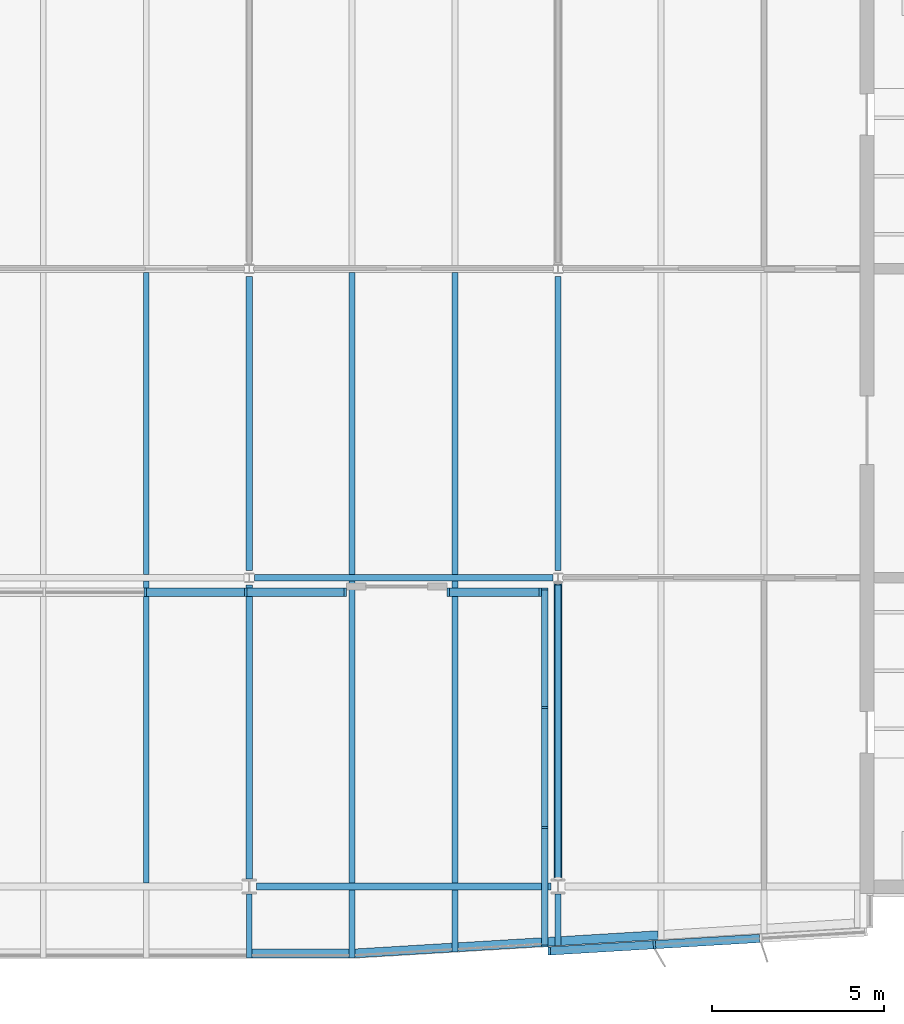
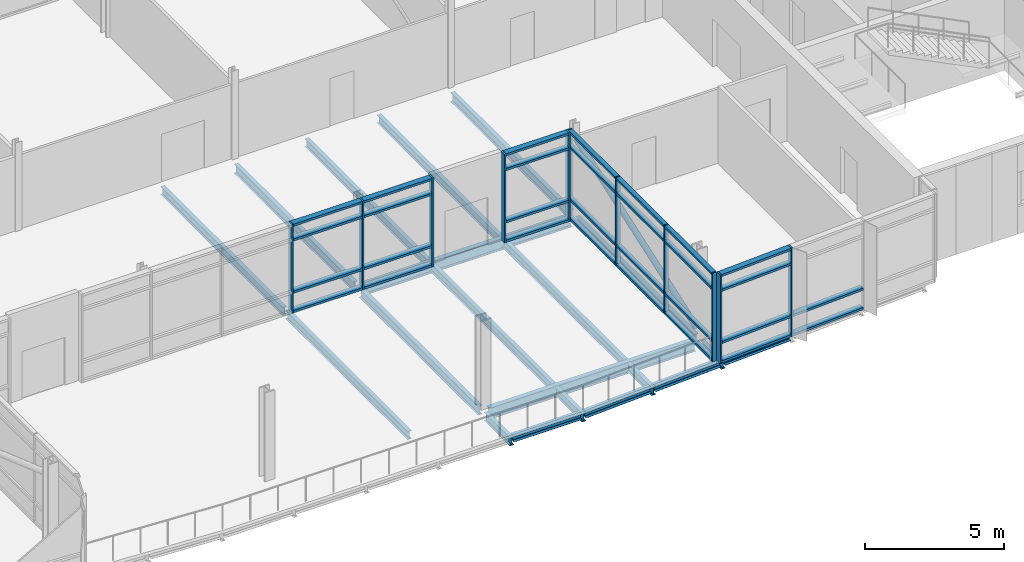
# One storey, part 6 of 19: 42 members, 20 beams, 4 elements without a shape of their own.
"""IFC4 building model written with IfcOpenShell, lengths in metres."""

from ifc_helpers import new_model, si_unit, direction, frame, origin, origin_2d, place, context, subcontext, project, spatial, rectangle, hollow_circle, i_section, extrude, material, material_profile, profile_set, type_object, element, aggregate, save


model = new_model("IFC4")

# Units and contexts
model_context = context("Model", 3, precision=1e-05, world=origin(), true_north=direction((0.0, 1.0)))
body_context = subcontext(model_context, "Body", "Model", "MODEL_VIEW")
ifc_project = project(units=[si_unit("LENGTHUNIT", "METRE"), si_unit("AREAUNIT", "SQUARE_METRE"), si_unit("VOLUMEUNIT", "CUBIC_METRE"), si_unit("PLANEANGLEUNIT", "RADIAN"), si_unit("MASSUNIT", "GRAM", prefix="KILO")], contexts=[model_context])

# Site, building, storey
site_placement = place(None, origin())
site = spatial("IfcSite", under=ifc_project, at=site_placement, CompositionType="ELEMENT")
building_placement = place(site_placement, origin())
building = spatial("IfcBuilding", under=site, at=building_placement, Name="Azimuth Sports and Learning Centre", CompositionType="ELEMENT")
storey_placement = place(building_placement, frame((0.0, 0.0, 67.5)))
storey = spatial("IfcBuildingStorey", under=building, at=storey_placement, Name="L15", CompositionType="ELEMENT", Elevation=67.5)

# Beams
ifc_material_1 = material(Name="Steel S355", Category="steel")
ifc_material_profile_1 = material_profile(ifc_material_1, i_section(OverallWidth=0.179931640625, OverallDepth=0.39990234375, WebThickness=0.008544921875, FlangeThickness=0.013427734375, FilletRadius=0.02099609375, at=origin_2d()), Name="IPE 400")
ifc_profile_set_1 = profile_set([ifc_material_profile_1], Name="Steel S355")
beam_type_1 = type_object("IfcBeamType", Name="Beam IPE 400", PredefinedType="BEAM", material=ifc_profile_set_1)
beam_1_placement = place(storey_placement, frame((90.0, 90.217529296875, -0.330078125), z_axis=(0.0, 1.0, 0.0), x_axis=(-1.0, 0.0, 0.0)))
element("IfcBeam", 1, at=beam_1_placement, inside=storey, type_object=beam_type_1, Name="Tower tie", PredefinedType="BEAM", context=body_context, shape_type="SweptSolid", body=[
    extrude(i_section(OverallWidth=0.179931640625, OverallDepth=0.39990234375, WebThickness=0.008544921875, FlangeThickness=0.013427734375, FilletRadius=0.02099609375, at=origin_2d()), origin(), (0.0, 0.0, 1.0), 8.56640625),
])
beam_2_placement = place(storey_placement, frame((90.0, 99.216064453125, -0.330078125), z_axis=(0.0, 1.0, 0.0), x_axis=(-1.0, 0.0, 0.0)))
element("IfcBeam", 2, at=beam_2_placement, inside=storey, type_object=beam_type_1, Name="Tower tie", PredefinedType="BEAM", context=body_context, shape_type="SweptSolid", body=[
    extrude(i_section(OverallWidth=0.179931640625, OverallDepth=0.39990234375, WebThickness=0.008544921875, FlangeThickness=0.013427734375, FilletRadius=0.02099609375, at=origin_2d()), origin(), (0.0, 0.0, 1.0), 8.56787109375),
])
beam_3_placement = place(storey_placement, frame((99.0, 90.217529296875, -0.330078125), z_axis=(0.0, 1.0, 0.0), x_axis=(-1.0, 0.0, 0.0)))
element("IfcBeam", 3, at=beam_3_placement, inside=storey, type_object=beam_type_1, Name="Tower tie", PredefinedType="BEAM", context=body_context, shape_type="SweptSolid", body=[
    extrude(i_section(OverallWidth=0.179931640625, OverallDepth=0.39990234375, WebThickness=0.008544921875, FlangeThickness=0.013427734375, FilletRadius=0.02099609375, at=origin_2d()), origin(), (0.0, 0.0, 1.0), 8.56640625),
])
beam_4_placement = place(storey_placement, frame((99.0, 99.216064453125, -0.330078125), z_axis=(0.0, 1.0, 0.0), x_axis=(-1.0, 0.0, 0.0)))
element("IfcBeam", 4, at=beam_4_placement, inside=storey, type_object=beam_type_1, Name="Tower tie", PredefinedType="BEAM", context=body_context, shape_type="SweptSolid", body=[
    extrude(i_section(OverallWidth=0.179931640625, OverallDepth=0.39990234375, WebThickness=0.008544921875, FlangeThickness=0.013427734375, FilletRadius=0.02099609375, at=origin_2d()), origin(), (0.0, 0.0, 1.0), 8.56787109375),
])
ifc_material_2 = material(Name="Steel S355", Category="steel")
ifc_material_profile_2 = material_profile(ifc_material_2, i_section(OverallWidth=0.199951171875, OverallDepth=0.5, WebThickness=0.01025390625, FlangeThickness=0.01611328125, FilletRadius=0.02099609375, at=origin_2d()), Name="IPE 500")
ifc_profile_set_2 = profile_set([ifc_material_profile_2], Name="Steel S355")
beam_type_2 = type_object("IfcBeamType", Name="Beam IPE 500", PredefinedType="BEAM", material=ifc_profile_set_2)
beam_5_placement = place(storey_placement, frame((90.2060546875, 90.0, -0.3798828125), z_axis=(1.0, 0.0, 0.0), x_axis=(0.0, 1.0, 0.0)))
element("IfcBeam", 5, at=beam_5_placement, inside=storey, type_object=beam_type_2, Name="Tower girder L15", PredefinedType="BEAM", context=body_context, shape_type="SweptSolid", body=[
    extrude(i_section(OverallWidth=0.199951171875, OverallDepth=0.5, WebThickness=0.01025390625, FlangeThickness=0.01611328125, FilletRadius=0.02099609375, at=origin_2d()), origin(), (0.0, 0.0, 1.0), 8.587890625),
])
beam_6_placement = place(storey_placement, frame((90.153564453125, 99.0, -0.3798828125), z_axis=(1.0, 0.0, 0.0), x_axis=(0.0, 1.0, 0.0)))
element("IfcBeam", 6, at=beam_6_placement, inside=storey, type_object=beam_type_2, Name="Tower girder L15", PredefinedType="BEAM", context=body_context, shape_type="SweptSolid", body=[
    extrude(i_section(OverallWidth=0.199951171875, OverallDepth=0.5, WebThickness=0.01025390625, FlangeThickness=0.01611328125, FilletRadius=0.02099609375, at=origin_2d()), origin(), (0.0, 0.0, 1.0), 8.69287109375),
])

# Member
ifc_material_3 = material(Name="Steel S355", Category="steel")
ifc_material_profile_3 = material_profile(ifc_material_3, hollow_circle(Radius=0.122314453125, WallThickness=0.012451171875, at=origin_2d()), Name="CHS 244.5x12.5")
ifc_profile_set_3 = profile_set([ifc_material_profile_3], Name="Steel S355")
member_type_1 = type_object("IfcMemberType", Name="Brace CHS 244.5x12.5", PredefinedType="BRACE", material=ifc_profile_set_3)
member_1_placement = place(storey_placement, frame((99.0, 90.238037109375, 0.16943359375), z_axis=(0.0, 0.943274861537, 0.332012854558), x_axis=(-1.0, 0.0, 0.0)))
element("IfcMember", 7, at=member_1_placement, inside=storey, type_object=member_type_1, Name="Tower brace 12 L15", PredefinedType="BRACE", context=body_context, shape_type="SweptSolid", body=[
    extrude(hollow_circle(Radius=0.122314453125, WallThickness=0.012451171875, at=origin_2d()), origin(), (0.0, 0.0, 1.0), 9.129150390625),
])

# Beams
ifc_material_4 = material(Name="Steel S355", Category="steel")
ifc_material_profile_4 = material_profile(ifc_material_4, i_section(OverallWidth=0.169921875, OverallDepth=0.360107421875, WebThickness=0.008056640625, FlangeThickness=0.0126953125, FilletRadius=0.01806640625, at=origin_2d()), Name="IPE 360")
ifc_profile_set_4 = profile_set([ifc_material_profile_4], Name="Steel S355")
beam_type_3 = type_object("IfcBeamType", Name="Cantilever stub IPE 360", PredefinedType="JOIST", material=ifc_profile_set_4)
beam_7_placement = place(storey_placement, frame((90.0, 89.782470703125, -0.31005859375), z_axis=(0.0, -1.0, 0.0), x_axis=(1.0, 0.0, 0.0)))
element("IfcBeam", 8, at=beam_7_placement, inside=storey, type_object=beam_type_3, Name="Tower cantilever stub", PredefinedType="JOIST", context=body_context, shape_type="SweptSolid", body=[
    extrude(i_section(OverallWidth=0.169921875, OverallDepth=0.360107421875, WebThickness=0.008056640625, FlangeThickness=0.0126953125, FilletRadius=0.01806640625, at=origin_2d()), origin(), (0.0, 0.0, 1.0), 1.862548828125),
])
beam_8_placement = place(storey_placement, frame((93.0, 89.89990234375, -0.31005859375), z_axis=(0.0, -1.0, 0.0), x_axis=(1.0, 0.0, 0.0)))
element("IfcBeam", 9, at=beam_8_placement, inside=storey, type_object=beam_type_3, Name="Tower cantilever stub", PredefinedType="JOIST", context=body_context, shape_type="SweptSolid", body=[
    extrude(i_section(OverallWidth=0.169921875, OverallDepth=0.360107421875, WebThickness=0.008056640625, FlangeThickness=0.0126953125, FilletRadius=0.01806640625, at=origin_2d()), origin(), (0.0, 0.0, 1.0), 1.97998046875),
])
beam_9_placement = place(storey_placement, frame((96.0, 89.89990234375, -0.31005859375), z_axis=(0.0, -1.0, 0.0), x_axis=(1.0, 0.0, 0.0)))
element("IfcBeam", 10, at=beam_9_placement, inside=storey, type_object=beam_type_3, Name="Tower cantilever stub", PredefinedType="JOIST", context=body_context, shape_type="SweptSolid", body=[
    extrude(i_section(OverallWidth=0.169921875, OverallDepth=0.360107421875, WebThickness=0.008056640625, FlangeThickness=0.0126953125, FilletRadius=0.01806640625, at=origin_2d()), origin(), (0.0, 0.0, 1.0), 1.7998046875),
])
beam_10_placement = place(storey_placement, frame((99.0, 89.782470703125, -0.31005859375), z_axis=(0.0, -1.0, 0.0), x_axis=(1.0, 0.0, 0.0)))
element("IfcBeam", 11, at=beam_10_placement, inside=storey, type_object=beam_type_3, Name="Tower cantilever stub", PredefinedType="JOIST", context=body_context, shape_type="SweptSolid", body=[
    extrude(i_section(OverallWidth=0.169921875, OverallDepth=0.360107421875, WebThickness=0.008056640625, FlangeThickness=0.0126953125, FilletRadius=0.01806640625, at=origin_2d()), origin(), (0.0, 0.0, 1.0), 1.50244140625),
])
ifc_material_5 = material(Name="Steel S355", Category="steel")
ifc_material_profile_5 = material_profile(ifc_material_5, i_section(OverallWidth=0.260009765625, OverallDepth=0.25, WebThickness=0.007568359375, FlangeThickness=0.012451171875, FilletRadius=0.02392578125, at=origin_2d()), Name="HEA 260")
ifc_profile_set_5 = profile_set([ifc_material_profile_5], Name="Steel S355")
beam_type_4 = type_object("IfcBeamType", Name="Edge beam HEA 260", PredefinedType="SPANDREL", material=ifc_profile_set_5)
beam_11_placement = place(storey_placement, frame((90.0849609375, 88.050048828125, -0.2548828125), z_axis=(1.0, 0.0, 0.0), x_axis=(0.0, 1.0, 0.0)))
element("IfcBeam", 12, at=beam_11_placement, inside=storey, type_object=beam_type_4, Name="Tower edge beam", PredefinedType="SPANDREL", context=body_context, shape_type="SweptSolid", body=[
    extrude(i_section(OverallWidth=0.260009765625, OverallDepth=0.25, WebThickness=0.007568359375, FlangeThickness=0.012451171875, FilletRadius=0.02392578125, at=origin_2d()), origin(), (0.0, 0.0, 1.0), 2.830078125),
])
for number, where, z_axis, x_axis, name in (
    (13, (93.0849609375, 88.05517578125, -0.2548828125), (0.998207521518, 0.059847673176, 0.0), (-0.059847673176, 0.998207521518, 0.0), "Tower edge beam"),
    (14, (96.0849609375, 88.235107421875, -0.2548828125), (0.998207521518, 0.059847673176, 0.0), (-0.059847673176, 0.998207521518, 0.0), "Tower edge beam"),
    (15, (99.0849609375, 88.4150390625, -0.2548828125), (0.998202373506, 0.059933475842, 0.0), (-0.059933475842, 0.998202373506, 0.0), "Tower edge beam"),
):
    element("IfcBeam", number, at=place(storey_placement, frame(where, z_axis=z_axis, x_axis=x_axis)), inside=storey, type_object=beam_type_4, Name=name, PredefinedType="SPANDREL", context=body_context, shape_type="SweptSolid", body=[
        extrude(i_section(OverallWidth=0.260009765625, OverallDepth=0.25, WebThickness=0.007568359375, FlangeThickness=0.012451171875, FilletRadius=0.02392578125, at=origin_2d()), origin(), (0.0, 0.0, 1.0), 2.835205078125),
    ])
ifc_material_6 = material(Name="Steel S355", Category="steel")
ifc_material_profile_6 = material_profile(ifc_material_6, i_section(OverallWidth=0.169921875, OverallDepth=0.360107421875, WebThickness=0.008056640625, FlangeThickness=0.0126953125, FilletRadius=0.01806640625, at=origin_2d()), Name="IPE 360")
ifc_profile_set_6 = profile_set([ifc_material_profile_6], Name="Steel S355")
beam_type_5 = type_object("IfcBeamType", Name="Joist IPE 360", PredefinedType="JOIST", material=ifc_profile_set_6)
for number, where, z_axis, x_axis, name in (
    (16, (87.0, 90.10009765625, -0.31005859375), (0.0, 1.0, 0.0), (-1.0, 0.0, 0.0), "Tower joist"),
    (17, (87.0, 99.10009765625, -0.31005859375), (0.0, 1.0, 0.0), (-1.0, 0.0, 0.0), "Tower joist"),
    (18, (93.0, 90.10009765625, -0.31005859375), (0.0, 1.0, 0.0), (-1.0, 0.0, 0.0), "Tower joist"),
    (19, (93.0, 99.10009765625, -0.31005859375), (0.0, 1.0, 0.0), (-1.0, 0.0, 0.0), "Tower joist"),
    (20, (96.0, 90.10009765625, -0.31005859375), (0.0, 1.0, 0.0), (-1.0, 0.0, 0.0), "Tower joist"),
    (21, (96.0, 99.10009765625, -0.31005859375), (0.0, 1.0, 0.0), (-1.0, 0.0, 0.0), "Tower joist"),
):
    element("IfcBeam", number, at=place(storey_placement, frame(where, z_axis=z_axis, x_axis=x_axis)), inside=storey, type_object=beam_type_5, Name=name, PredefinedType="JOIST", context=body_context, shape_type="SweptSolid", body=[
        extrude(i_section(OverallWidth=0.169921875, OverallDepth=0.360107421875, WebThickness=0.008056640625, FlangeThickness=0.0126953125, FilletRadius=0.01806640625, at=origin_2d()), origin(), (0.0, 0.0, 1.0), 8.7998046875),
    ])

# Curtain wall, members
ifc_material_7 = material(Name="Aluminium and glass", Category="aluminium")
curtain_wall_type_1 = type_object("IfcCurtainWallType", Name="Curtain wall tower return 180", PredefinedType="NOTDEFINED", material=ifc_material_7)
curtain_wall_1_placement = place(storey_placement, origin())
curtain_wall_1 = element("IfcCurtainWall", 22, at=curtain_wall_1_placement, inside=storey, type_object=curtain_wall_type_1, Name="Curtain wall CW15-007", PredefinedType="NOTDEFINED")
ifc_material_8 = material(Name="Aluminium", Category="aluminium")
ifc_material_profile_7 = material_profile(ifc_material_8, rectangle(XDim=0.179931640625, YDim=0.06005859375, at=origin_2d()), Name="Mullion 60x180")
ifc_profile_set_7 = profile_set([ifc_material_profile_7], Name="Aluminium")
member_type_2 = type_object("IfcMemberType", Name="Mullion 60x180", PredefinedType="MULLION", material=ifc_profile_set_7)
member_2_placement = place(storey_placement, frame((98.610107421875, 98.669921875, 0.0), z_axis=(0.0, 0.0, 1.0), x_axis=(1.0, 0.0, 0.0)))
member_2 = element("IfcMember", 23, at=member_2_placement, type_object=member_type_2, Name="CW15-007 mullion 1", PredefinedType="MULLION", context=body_context, shape_type="SweptSolid", body=[
    extrude(rectangle(XDim=0.179931640625, YDim=0.06005859375, at=origin_2d()), origin(), (0.0, 0.0, 1.0), 3.89990234375),
])
member_3_placement = place(storey_placement, frame((98.610107421875, 95.214111328125, 0.0), z_axis=(0.0, 0.0, 1.0), x_axis=(1.0, 0.0, 0.0)))
member_3 = element("IfcMember", 24, at=member_3_placement, type_object=member_type_2, Name="CW15-007 mullion 2", PredefinedType="MULLION", context=body_context, shape_type="SweptSolid", body=[
    extrude(rectangle(XDim=0.179931640625, YDim=0.06005859375, at=origin_2d()), origin(), (0.0, 0.0, 1.0), 3.89990234375),
])
member_4_placement = place(storey_placement, frame((98.610107421875, 91.72802734375, 0.0), z_axis=(0.0, 0.0, 1.0), x_axis=(1.0, 0.0, 0.0)))
member_4 = element("IfcMember", 25, at=member_4_placement, type_object=member_type_2, Name="CW15-007 mullion 3", PredefinedType="MULLION", context=body_context, shape_type="SweptSolid", body=[
    extrude(rectangle(XDim=0.179931640625, YDim=0.06005859375, at=origin_2d()), origin(), (0.0, 0.0, 1.0), 3.89990234375),
])
member_5_placement = place(storey_placement, frame((98.610107421875, 88.27197265625, 0.0), z_axis=(0.0, 0.0, 1.0), x_axis=(1.0, 0.0, 0.0)))
member_5 = element("IfcMember", 26, at=member_5_placement, type_object=member_type_2, Name="CW15-007 mullion 4", PredefinedType="MULLION", context=body_context, shape_type="SweptSolid", body=[
    extrude(rectangle(XDim=0.179931640625, YDim=0.06005859375, at=origin_2d()), origin(), (0.0, 0.0, 1.0), 3.89990234375),
])

ifc_material_9 = material(Name="Aluminium and glass", Category="aluminium")
curtain_wall_type_2 = type_object("IfcCurtainWallType", Name="Curtain wall tower south 240", PredefinedType="NOTDEFINED", material=ifc_material_9)
curtain_wall_2_placement = place(storey_placement, origin())
curtain_wall_2 = element("IfcCurtainWall", 27, at=curtain_wall_2_placement, inside=storey, type_object=curtain_wall_type_2, Name="Curtain wall CW15-005", PredefinedType="NOTDEFINED")
ifc_material_10 = material(Name="Aluminium", Category="aluminium")
ifc_material_profile_8 = material_profile(ifc_material_10, rectangle(XDim=0.239990234375, YDim=0.070068359375, at=origin_2d()), Name="Mullion 70x240")
ifc_profile_set_8 = profile_set([ifc_material_profile_8], Name="Aluminium")
member_type_3 = type_object("IfcMemberType", Name="Mullion 70x240", PredefinedType="MULLION", material=ifc_profile_set_8)
member_6_placement = place(storey_placement, frame((86.966552734375, 98.580078125, 0.0), z_axis=(0.0, 0.0, 1.0), x_axis=(0.0, 1.0, 0.0)))
member_6 = element("IfcMember", 28, at=member_6_placement, type_object=member_type_3, Name="CW15-005 mullion 4", PredefinedType="MULLION", context=body_context, shape_type="SweptSolid", body=[
    extrude(rectangle(XDim=0.239990234375, YDim=0.070068359375, at=origin_2d()), origin(), (0.0, 0.0, 1.0), 3.89990234375),
])
member_7_placement = place(storey_placement, frame((89.89990234375, 98.580078125, 0.0), z_axis=(0.0, 0.0, 1.0), x_axis=(0.0, 1.0, 0.0)))
member_7 = element("IfcMember", 29, at=member_7_placement, type_object=member_type_3, Name="CW15-005 mullion 5", PredefinedType="MULLION", context=body_context, shape_type="SweptSolid", body=[
    extrude(rectangle(XDim=0.239990234375, YDim=0.070068359375, at=origin_2d()), origin(), (0.0, 0.0, 1.0), 3.89990234375),
])
member_8_placement = place(storey_placement, frame((92.79833984375, 98.580078125, 0.0), z_axis=(0.0, 0.0, 1.0), x_axis=(0.0, 1.0, 0.0)))
member_8 = element("IfcMember", 30, at=member_8_placement, type_object=member_type_3, Name="CW15-005 mullion 6", PredefinedType="MULLION", context=body_context, shape_type="SweptSolid", body=[
    extrude(rectangle(XDim=0.239990234375, YDim=0.070068359375, at=origin_2d()), origin(), (0.0, 0.0, 1.0), 3.89990234375),
])

curtain_wall_3_placement = place(storey_placement, origin())
curtain_wall_3 = element("IfcCurtainWall", 31, at=curtain_wall_3_placement, inside=storey, type_object=curtain_wall_type_2, Name="Curtain wall CW15-006", PredefinedType="NOTDEFINED")
member_9_placement = place(storey_placement, frame((95.8017578125, 98.580078125, 0.0), z_axis=(0.0, 0.0, 1.0), x_axis=(0.0, 1.0, 0.0)))
member_9 = element("IfcMember", 32, at=member_9_placement, type_object=member_type_3, Name="CW15-006 mullion 1", PredefinedType="MULLION", context=body_context, shape_type="SweptSolid", body=[
    extrude(rectangle(XDim=0.239990234375, YDim=0.070068359375, at=origin_2d()), origin(), (0.0, 0.0, 1.0), 3.89990234375),
])
member_10_placement = place(storey_placement, frame((98.485107421875, 98.580078125, 0.0), z_axis=(0.0, 0.0, 1.0), x_axis=(0.0, 1.0, 0.0)))
member_10 = element("IfcMember", 33, at=member_10_placement, type_object=member_type_3, Name="CW15-006 mullion 2", PredefinedType="MULLION", context=body_context, shape_type="SweptSolid", body=[
    extrude(rectangle(XDim=0.239990234375, YDim=0.070068359375, at=origin_2d()), origin(), (0.0, 0.0, 1.0), 3.89990234375),
])

curtain_wall_4_placement = place(storey_placement, origin())
curtain_wall_4 = element("IfcCurtainWall", 34, at=curtain_wall_4_placement, inside=storey, type_object=curtain_wall_type_2, Name="Curtain wall CW15-008", PredefinedType="NOTDEFINED")
member_11_placement = place(storey_placement, frame((98.7421875, 88.124267578125, 0.0), z_axis=(0.0, 0.0, 1.0), x_axis=(-0.059891991812, 0.998204863401, 0.0)))
member_11 = element("IfcMember", 35, at=member_11_placement, type_object=member_type_3, Name="CW15-008 mullion 1", PredefinedType="MULLION", context=body_context, shape_type="SweptSolid", body=[
    extrude(rectangle(XDim=0.239990234375, YDim=0.070068359375, at=origin_2d()), origin(), (0.0, 0.0, 1.0), 3.89990234375),
])
member_12_placement = place(storey_placement, frame((101.80712890625, 88.30810546875, 0.0), z_axis=(0.0, 0.0, 1.0), x_axis=(-0.059891991812, 0.998204863401, 0.0)))
member_12 = element("IfcMember", 36, at=member_12_placement, type_object=member_type_3, Name="CW15-008 mullion 2", PredefinedType="MULLION", context=body_context, shape_type="SweptSolid", body=[
    extrude(rectangle(XDim=0.239990234375, YDim=0.070068359375, at=origin_2d()), origin(), (0.0, 0.0, 1.0), 3.89990234375),
])

# Member
ifc_material_11 = material(Name="Aluminium", Category="aluminium")
ifc_material_profile_9 = material_profile(ifc_material_11, rectangle(XDim=0.179931640625, YDim=0.10009765625, at=origin_2d()), Name="Transom 100x180")
ifc_profile_set_9 = profile_set([ifc_material_profile_9], Name="Aluminium")
member_type_4 = type_object("IfcMemberType", Name="Transom 100x180", PredefinedType="USERDEFINED", material=ifc_profile_set_9)
member_13_placement = place(storey_placement, frame((98.610107421875, 98.639892578125, 0.050048828125), z_axis=(0.0, -1.0, 0.0), x_axis=(1.0, 0.0, 0.0)))
member_13 = element("IfcMember", 37, at=member_13_placement, type_object=member_type_4, Name="CW15-007 transom 1.1", ObjectType="TRANSOM", PredefinedType="USERDEFINED", context=body_context, shape_type="SweptSolid", body=[
    extrude(rectangle(XDim=0.179931640625, YDim=0.10009765625, at=origin_2d()), origin(), (0.0, 0.0, 1.0), 3.39599609375),
])

member_14_placement = place(storey_placement, frame((98.610107421875, 98.639892578125, 0.89990234375), z_axis=(0.0, -1.0, 0.0), x_axis=(1.0, 0.0, 0.0)))
member_14 = element("IfcMember", 38, at=member_14_placement, type_object=member_type_4, Name="CW15-007 transom 1.2", ObjectType="TRANSOM", PredefinedType="USERDEFINED", context=body_context, shape_type="SweptSolid", body=[
    extrude(rectangle(XDim=0.179931640625, YDim=0.10009765625, at=origin_2d()), origin(), (0.0, 0.0, 1.0), 3.39599609375),
])

member_15_placement = place(storey_placement, frame((98.610107421875, 98.639892578125, 3.199951171875), z_axis=(0.0, -1.0, 0.0), x_axis=(1.0, 0.0, 0.0)))
member_15 = element("IfcMember", 39, at=member_15_placement, type_object=member_type_4, Name="CW15-007 transom 1.3", ObjectType="TRANSOM", PredefinedType="USERDEFINED", context=body_context, shape_type="SweptSolid", body=[
    extrude(rectangle(XDim=0.179931640625, YDim=0.10009765625, at=origin_2d()), origin(), (0.0, 0.0, 1.0), 3.39599609375),
])

member_16_placement = place(storey_placement, frame((98.610107421875, 98.639892578125, 3.85009765625), z_axis=(0.0, -1.0, 0.0), x_axis=(1.0, 0.0, 0.0)))
member_16 = element("IfcMember", 40, at=member_16_placement, type_object=member_type_4, Name="CW15-007 transom 1.4", ObjectType="TRANSOM", PredefinedType="USERDEFINED", context=body_context, shape_type="SweptSolid", body=[
    extrude(rectangle(XDim=0.179931640625, YDim=0.10009765625, at=origin_2d()), origin(), (0.0, 0.0, 1.0), 3.39599609375),
])

member_17_placement = place(storey_placement, frame((98.610107421875, 95.18408203125, 0.050048828125), z_axis=(0.0, -1.0, 0.0), x_axis=(1.0, 0.0, 0.0)))
member_17 = element("IfcMember", 41, at=member_17_placement, type_object=member_type_4, Name="CW15-007 transom 2.1", ObjectType="TRANSOM", PredefinedType="USERDEFINED", context=body_context, shape_type="SweptSolid", body=[
    extrude(rectangle(XDim=0.179931640625, YDim=0.10009765625, at=origin_2d()), origin(), (0.0, 0.0, 1.0), 3.426025390625),
])

member_18_placement = place(storey_placement, frame((98.610107421875, 95.18408203125, 0.89990234375), z_axis=(0.0, -1.0, 0.0), x_axis=(1.0, 0.0, 0.0)))
member_18 = element("IfcMember", 42, at=member_18_placement, type_object=member_type_4, Name="CW15-007 transom 2.2", ObjectType="TRANSOM", PredefinedType="USERDEFINED", context=body_context, shape_type="SweptSolid", body=[
    extrude(rectangle(XDim=0.179931640625, YDim=0.10009765625, at=origin_2d()), origin(), (0.0, 0.0, 1.0), 3.426025390625),
])

member_19_placement = place(storey_placement, frame((98.610107421875, 95.18408203125, 3.199951171875), z_axis=(0.0, -1.0, 0.0), x_axis=(1.0, 0.0, 0.0)))
member_19 = element("IfcMember", 43, at=member_19_placement, type_object=member_type_4, Name="CW15-007 transom 2.3", ObjectType="TRANSOM", PredefinedType="USERDEFINED", context=body_context, shape_type="SweptSolid", body=[
    extrude(rectangle(XDim=0.179931640625, YDim=0.10009765625, at=origin_2d()), origin(), (0.0, 0.0, 1.0), 3.426025390625),
])

member_20_placement = place(storey_placement, frame((98.610107421875, 95.18408203125, 3.85009765625), z_axis=(0.0, -1.0, 0.0), x_axis=(1.0, 0.0, 0.0)))
member_20 = element("IfcMember", 44, at=member_20_placement, type_object=member_type_4, Name="CW15-007 transom 2.4", ObjectType="TRANSOM", PredefinedType="USERDEFINED", context=body_context, shape_type="SweptSolid", body=[
    extrude(rectangle(XDim=0.179931640625, YDim=0.10009765625, at=origin_2d()), origin(), (0.0, 0.0, 1.0), 3.426025390625),
])

member_21_placement = place(storey_placement, frame((98.610107421875, 91.697998046875, 0.050048828125), z_axis=(0.0, -1.0, 0.0), x_axis=(1.0, 0.0, 0.0)))
member_21 = element("IfcMember", 45, at=member_21_placement, type_object=member_type_4, Name="CW15-007 transom 3.1", ObjectType="TRANSOM", PredefinedType="USERDEFINED", context=body_context, shape_type="SweptSolid", body=[
    extrude(rectangle(XDim=0.179931640625, YDim=0.10009765625, at=origin_2d()), origin(), (0.0, 0.0, 1.0), 3.39599609375),
])

member_22_placement = place(storey_placement, frame((98.610107421875, 91.697998046875, 0.89990234375), z_axis=(0.0, -1.0, 0.0), x_axis=(1.0, 0.0, 0.0)))
member_22 = element("IfcMember", 46, at=member_22_placement, type_object=member_type_4, Name="CW15-007 transom 3.2", ObjectType="TRANSOM", PredefinedType="USERDEFINED", context=body_context, shape_type="SweptSolid", body=[
    extrude(rectangle(XDim=0.179931640625, YDim=0.10009765625, at=origin_2d()), origin(), (0.0, 0.0, 1.0), 3.39599609375),
])

member_23_placement = place(storey_placement, frame((98.610107421875, 91.697998046875, 3.199951171875), z_axis=(0.0, -1.0, 0.0), x_axis=(1.0, 0.0, 0.0)))
member_23 = element("IfcMember", 47, at=member_23_placement, type_object=member_type_4, Name="CW15-007 transom 3.3", ObjectType="TRANSOM", PredefinedType="USERDEFINED", context=body_context, shape_type="SweptSolid", body=[
    extrude(rectangle(XDim=0.179931640625, YDim=0.10009765625, at=origin_2d()), origin(), (0.0, 0.0, 1.0), 3.39599609375),
])

member_24_placement = place(storey_placement, frame((98.610107421875, 91.697998046875, 3.85009765625), z_axis=(0.0, -1.0, 0.0), x_axis=(1.0, 0.0, 0.0)))
member_24 = element("IfcMember", 48, at=member_24_placement, type_object=member_type_4, Name="CW15-007 transom 3.4", ObjectType="TRANSOM", PredefinedType="USERDEFINED", context=body_context, shape_type="SweptSolid", body=[
    extrude(rectangle(XDim=0.179931640625, YDim=0.10009765625, at=origin_2d()), origin(), (0.0, 0.0, 1.0), 3.39599609375),
])

aggregate(curtain_wall_1, [member_2, member_3, member_4, member_5, member_13, member_14, member_15, member_16, member_17, member_18, member_19, member_20, member_21, member_22, member_23, member_24])

ifc_material_12 = material(Name="Aluminium", Category="aluminium")
ifc_material_profile_10 = material_profile(ifc_material_12, rectangle(XDim=0.239990234375, YDim=0.10009765625, at=origin_2d()), Name="Transom 100x240")
ifc_profile_set_10 = profile_set([ifc_material_profile_10], Name="Aluminium")
member_type_5 = type_object("IfcMemberType", Name="Transom 100x240", PredefinedType="USERDEFINED", material=ifc_profile_set_10)
member_25_placement = place(storey_placement, frame((87.001708984375, 98.580078125, 0.050048828125), z_axis=(1.0, 0.0, 0.0), x_axis=(0.0, 1.0, 0.0)))
member_25 = element("IfcMember", 49, at=member_25_placement, type_object=member_type_5, Name="CW15-005 transom 4.1", ObjectType="TRANSOM", PredefinedType="USERDEFINED", context=body_context, shape_type="SweptSolid", body=[
    extrude(rectangle(XDim=0.239990234375, YDim=0.10009765625, at=origin_2d()), origin(), (0.0, 0.0, 1.0), 2.86328125),
])

member_26_placement = place(storey_placement, frame((87.001708984375, 98.580078125, 0.89990234375), z_axis=(1.0, 0.0, 0.0), x_axis=(0.0, 1.0, 0.0)))
member_26 = element("IfcMember", 50, at=member_26_placement, type_object=member_type_5, Name="CW15-005 transom 4.2", ObjectType="TRANSOM", PredefinedType="USERDEFINED", context=body_context, shape_type="SweptSolid", body=[
    extrude(rectangle(XDim=0.239990234375, YDim=0.10009765625, at=origin_2d()), origin(), (0.0, 0.0, 1.0), 2.86328125),
])

member_27_placement = place(storey_placement, frame((87.001708984375, 98.580078125, 3.199951171875), z_axis=(1.0, 0.0, 0.0), x_axis=(0.0, 1.0, 0.0)))
member_27 = element("IfcMember", 51, at=member_27_placement, type_object=member_type_5, Name="CW15-005 transom 4.3", ObjectType="TRANSOM", PredefinedType="USERDEFINED", context=body_context, shape_type="SweptSolid", body=[
    extrude(rectangle(XDim=0.239990234375, YDim=0.10009765625, at=origin_2d()), origin(), (0.0, 0.0, 1.0), 2.86328125),
])

member_28_placement = place(storey_placement, frame((87.001708984375, 98.580078125, 3.85009765625), z_axis=(1.0, 0.0, 0.0), x_axis=(0.0, 1.0, 0.0)))
member_28 = element("IfcMember", 52, at=member_28_placement, type_object=member_type_5, Name="CW15-005 transom 4.4", ObjectType="TRANSOM", PredefinedType="USERDEFINED", context=body_context, shape_type="SweptSolid", body=[
    extrude(rectangle(XDim=0.239990234375, YDim=0.10009765625, at=origin_2d()), origin(), (0.0, 0.0, 1.0), 2.86328125),
])

member_29_placement = place(storey_placement, frame((89.93505859375, 98.580078125, 0.050048828125), z_axis=(1.0, 0.0, 0.0), x_axis=(0.0, 1.0, 0.0)))
member_29 = element("IfcMember", 53, at=member_29_placement, type_object=member_type_5, Name="CW15-005 transom 5.1", ObjectType="TRANSOM", PredefinedType="USERDEFINED", context=body_context, shape_type="SweptSolid", body=[
    extrude(rectangle(XDim=0.239990234375, YDim=0.10009765625, at=origin_2d()), origin(), (0.0, 0.0, 1.0), 2.828369140625),
])

member_30_placement = place(storey_placement, frame((89.93505859375, 98.580078125, 0.89990234375), z_axis=(1.0, 0.0, 0.0), x_axis=(0.0, 1.0, 0.0)))
member_30 = element("IfcMember", 54, at=member_30_placement, type_object=member_type_5, Name="CW15-005 transom 5.2", ObjectType="TRANSOM", PredefinedType="USERDEFINED", context=body_context, shape_type="SweptSolid", body=[
    extrude(rectangle(XDim=0.239990234375, YDim=0.10009765625, at=origin_2d()), origin(), (0.0, 0.0, 1.0), 2.828369140625),
])

member_31_placement = place(storey_placement, frame((89.93505859375, 98.580078125, 3.199951171875), z_axis=(1.0, 0.0, 0.0), x_axis=(0.0, 1.0, 0.0)))
member_31 = element("IfcMember", 55, at=member_31_placement, type_object=member_type_5, Name="CW15-005 transom 5.3", ObjectType="TRANSOM", PredefinedType="USERDEFINED", context=body_context, shape_type="SweptSolid", body=[
    extrude(rectangle(XDim=0.239990234375, YDim=0.10009765625, at=origin_2d()), origin(), (0.0, 0.0, 1.0), 2.828369140625),
])

member_32_placement = place(storey_placement, frame((89.93505859375, 98.580078125, 3.85009765625), z_axis=(1.0, 0.0, 0.0), x_axis=(0.0, 1.0, 0.0)))
member_32 = element("IfcMember", 56, at=member_32_placement, type_object=member_type_5, Name="CW15-005 transom 5.4", ObjectType="TRANSOM", PredefinedType="USERDEFINED", context=body_context, shape_type="SweptSolid", body=[
    extrude(rectangle(XDim=0.239990234375, YDim=0.10009765625, at=origin_2d()), origin(), (0.0, 0.0, 1.0), 2.828369140625),
])

aggregate(curtain_wall_2, [member_6, member_7, member_8, member_25, member_26, member_27, member_28, member_29, member_30, member_31, member_32])

member_33_placement = place(storey_placement, frame((95.836669921875, 98.580078125, 0.050048828125), z_axis=(1.0, 0.0, 0.0), x_axis=(0.0, 1.0, 0.0)))
member_33 = element("IfcMember", 57, at=member_33_placement, type_object=member_type_5, Name="CW15-006 transom 1.1", ObjectType="TRANSOM", PredefinedType="USERDEFINED", context=body_context, shape_type="SweptSolid", body=[
    extrude(rectangle(XDim=0.239990234375, YDim=0.10009765625, at=origin_2d()), origin(), (0.0, 0.0, 1.0), 2.61328125),
])

member_34_placement = place(storey_placement, frame((95.836669921875, 98.580078125, 0.89990234375), z_axis=(1.0, 0.0, 0.0), x_axis=(0.0, 1.0, 0.0)))
member_34 = element("IfcMember", 58, at=member_34_placement, type_object=member_type_5, Name="CW15-006 transom 1.2", ObjectType="TRANSOM", PredefinedType="USERDEFINED", context=body_context, shape_type="SweptSolid", body=[
    extrude(rectangle(XDim=0.239990234375, YDim=0.10009765625, at=origin_2d()), origin(), (0.0, 0.0, 1.0), 2.61328125),
])

member_35_placement = place(storey_placement, frame((95.836669921875, 98.580078125, 3.199951171875), z_axis=(1.0, 0.0, 0.0), x_axis=(0.0, 1.0, 0.0)))
member_35 = element("IfcMember", 59, at=member_35_placement, type_object=member_type_5, Name="CW15-006 transom 1.3", ObjectType="TRANSOM", PredefinedType="USERDEFINED", context=body_context, shape_type="SweptSolid", body=[
    extrude(rectangle(XDim=0.239990234375, YDim=0.10009765625, at=origin_2d()), origin(), (0.0, 0.0, 1.0), 2.61328125),
])

member_36_placement = place(storey_placement, frame((95.836669921875, 98.580078125, 3.85009765625), z_axis=(1.0, 0.0, 0.0), x_axis=(0.0, 1.0, 0.0)))
member_36 = element("IfcMember", 60, at=member_36_placement, type_object=member_type_5, Name="CW15-006 transom 1.4", ObjectType="TRANSOM", PredefinedType="USERDEFINED", context=body_context, shape_type="SweptSolid", body=[
    extrude(rectangle(XDim=0.239990234375, YDim=0.10009765625, at=origin_2d()), origin(), (0.0, 0.0, 1.0), 2.61328125),
])

aggregate(curtain_wall_3, [member_9, member_10, member_33, member_34, member_35, member_36])

member_37_placement = place(storey_placement, frame((98.777099609375, 88.12646484375, 0.050048828125), z_axis=(0.998205234603, 0.05988580475, 0.0), x_axis=(-0.05988580475, 0.998205234603, 0.0)))
member_37 = element("IfcMember", 61, at=member_37_placement, type_object=member_type_5, Name="CW15-008 transom 1.1", ObjectType="TRANSOM", PredefinedType="USERDEFINED", context=body_context, shape_type="SweptSolid", body=[
    extrude(rectangle(XDim=0.239990234375, YDim=0.10009765625, at=origin_2d()), origin(), (0.0, 0.0, 1.0), 3.00048828125),
])

member_38_placement = place(storey_placement, frame((98.777099609375, 88.12646484375, 0.89990234375), z_axis=(0.998205234603, 0.05988580475, 0.0), x_axis=(-0.05988580475, 0.998205234603, 0.0)))
member_38 = element("IfcMember", 62, at=member_38_placement, type_object=member_type_5, Name="CW15-008 transom 1.2", ObjectType="TRANSOM", PredefinedType="USERDEFINED", context=body_context, shape_type="SweptSolid", body=[
    extrude(rectangle(XDim=0.239990234375, YDim=0.10009765625, at=origin_2d()), origin(), (0.0, 0.0, 1.0), 3.00048828125),
])

member_39_placement = place(storey_placement, frame((98.777099609375, 88.12646484375, 3.199951171875), z_axis=(0.998205234603, 0.05988580475, 0.0), x_axis=(-0.05988580475, 0.998205234603, 0.0)))
member_39 = element("IfcMember", 63, at=member_39_placement, type_object=member_type_5, Name="CW15-008 transom 1.3", ObjectType="TRANSOM", PredefinedType="USERDEFINED", context=body_context, shape_type="SweptSolid", body=[
    extrude(rectangle(XDim=0.239990234375, YDim=0.10009765625, at=origin_2d()), origin(), (0.0, 0.0, 1.0), 3.00048828125),
])

member_40_placement = place(storey_placement, frame((98.777099609375, 88.12646484375, 3.85009765625), z_axis=(0.998205234603, 0.05988580475, 0.0), x_axis=(-0.05988580475, 0.998205234603, 0.0)))
member_40 = element("IfcMember", 64, at=member_40_placement, type_object=member_type_5, Name="CW15-008 transom 1.4", ObjectType="TRANSOM", PredefinedType="USERDEFINED", context=body_context, shape_type="SweptSolid", body=[
    extrude(rectangle(XDim=0.239990234375, YDim=0.10009765625, at=origin_2d()), origin(), (0.0, 0.0, 1.0), 3.00048828125),
])

member_41_placement = place(storey_placement, frame((101.842041015625, 88.310302734375, 0.050048828125), z_axis=(0.998203498963, 0.059914728225, 0.0), x_axis=(-0.059914728225, 0.998203498963, 0.0)))
member_41 = element("IfcMember", 65, at=member_41_placement, type_object=member_type_5, Name="CW15-008 transom 2.1", ObjectType="TRANSOM", PredefinedType="USERDEFINED", context=body_context, shape_type="SweptSolid", body=[
    extrude(rectangle(XDim=0.239990234375, YDim=0.10009765625, at=origin_2d()), origin(), (0.0, 0.0, 1.0), 3.03564453125),
])

member_42_placement = place(storey_placement, frame((101.842041015625, 88.310302734375, 0.89990234375), z_axis=(0.998203498963, 0.059914728225, 0.0), x_axis=(-0.059914728225, 0.998203498963, 0.0)))
member_42 = element("IfcMember", 66, at=member_42_placement, type_object=member_type_5, Name="CW15-008 transom 2.2", ObjectType="TRANSOM", PredefinedType="USERDEFINED", context=body_context, shape_type="SweptSolid", body=[
    extrude(rectangle(XDim=0.239990234375, YDim=0.10009765625, at=origin_2d()), origin(), (0.0, 0.0, 1.0), 3.03564453125),
])

aggregate(curtain_wall_4, [member_11, member_12, member_37, member_38, member_39, member_40, member_41, member_42])

save(model, "model.ifc")
